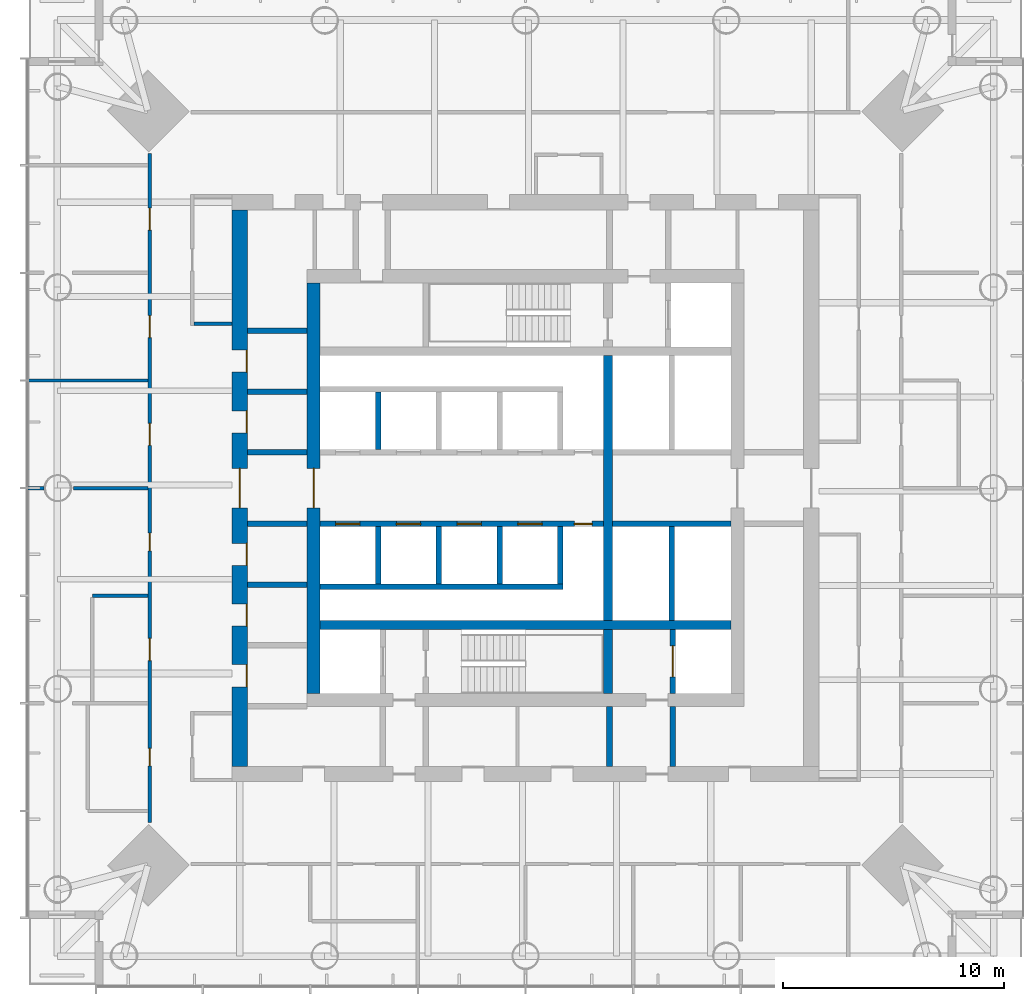
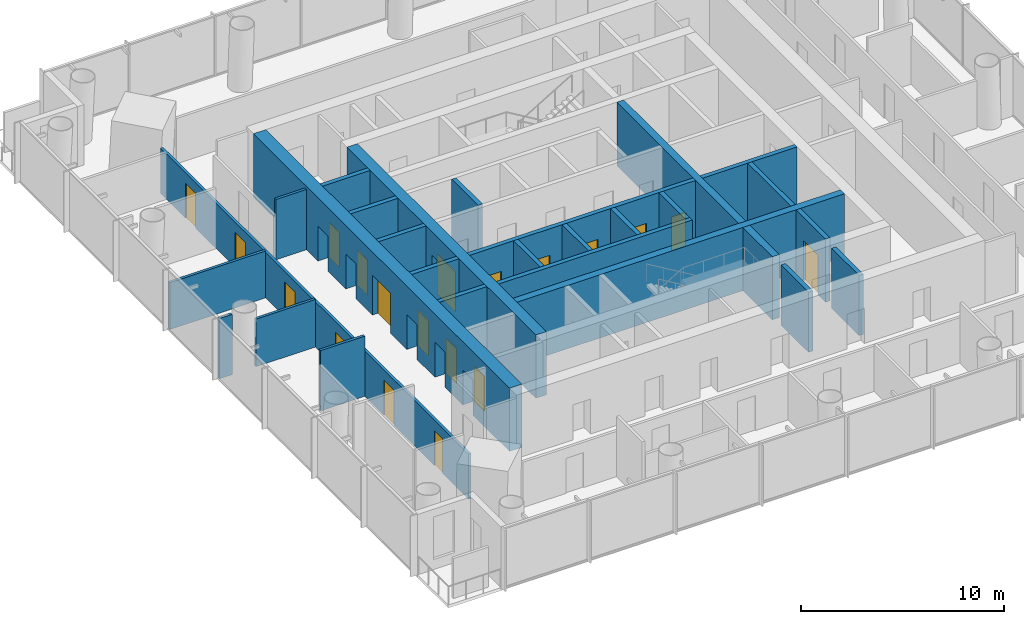
# One storey, part 10 of 20: 28 walls, 19 doors, 19 openings.
"""IFC4 building model written with IfcOpenShell, lengths in metres."""

from ifc_helpers import new_model, si_unit, direction, frame, frame_2d, origin, place, context, subcontext, project, spatial, rectangle, extrude, material, layer, layer_set, type_object, element, fill, save


model = new_model("IFC4")

# Units and contexts
model_context = context("Model", 3, precision=1e-05, world=origin(), true_north=direction((0.0, 1.0)))
body_context = subcontext(model_context, "Body", "Model", "MODEL_VIEW")
ifc_project = project(units=[si_unit("LENGTHUNIT", "METRE"), si_unit("AREAUNIT", "SQUARE_METRE"), si_unit("VOLUMEUNIT", "CUBIC_METRE"), si_unit("PLANEANGLEUNIT", "RADIAN"), si_unit("MASSUNIT", "GRAM", prefix="KILO")], contexts=[model_context])

# Site, building, storey
site_placement = place(None, origin())
site = spatial("IfcSite", under=ifc_project, at=site_placement, CompositionType="ELEMENT")
building_placement = place(site_placement, origin())
building = spatial("IfcBuilding", under=site, at=building_placement, Name="Ostroluk Exchange", CompositionType="ELEMENT")
storey_placement = place(building_placement, frame((0.0, 0.0, 108.39990234375)))
storey = spatial("IfcBuildingStorey", under=building, at=storey_placement, Name="L27", CompositionType="ELEMENT", Elevation=108.39990234375)

# Walls
ifc_material_1 = material(Name="Concrete blockwork", Category="masonry")
ifc_layer_1 = layer(ifc_material_1, 0.25)
ifc_layer_set_1 = layer_set([ifc_layer_1], Name="Blockwork stair enclosure wall 250")
wall_type_1 = type_object("IfcWallType", Name="Blockwork stair enclosure wall 250", PredefinedType="SOLIDWALL", material=ifc_layer_set_1)
for number, where, z_axis, x_axis, name in (
    (1, (48.804931640625, 33.39990234375, 0.0), (0.0, 0.0, 1.0), (0.0, 1.0, 0.0), "Service lobby enclosure wall"),
    (2, (51.675048828125, 33.39990234375, 0.0), (0.0, 0.0, 1.0), (0.0, 1.0, 0.0), "Service lobby enclosure wall"),
):
    element("IfcWall", number, at=place(storey_placement, frame(where, z_axis=z_axis, x_axis=x_axis)), inside=storey, type_object=wall_type_1, Name=name, PredefinedType="SOLIDWALL", context=body_context, shape_type="SweptSolid", body=[
        extrude(rectangle(XDim=2.7001953125, YDim=0.25, at=frame_2d((1.35009765625, 0.0))), origin(), (0.0, 0.0, 1.0), 3.6201171875),
    ])
ifc_material_2 = material(Name="Concrete C50/60", Category="concrete")
ifc_layer_2 = layer(ifc_material_2, 0.39990234375)
ifc_layer_set_2 = layer_set([ifc_layer_2], Name="Core cross wall 400 C50/60")
wall_type_2 = type_object("IfcWallType", Name="Core cross wall 400 C50/60", PredefinedType="SHEAR", material=ifc_layer_set_2)
wall_1_placement = place(storey_placement, frame((35.699951171875, 39.800048828125, 0.0), z_axis=(0.0, 0.0, 1.0), x_axis=(1.0, 0.0, 0.0)))
element("IfcWall", 3, at=wall_1_placement, inside=storey, type_object=wall_type_2, Name="T1 core wall XS", PredefinedType="SHEAR", context=body_context, shape_type="SweptSolid", body=[
    extrude(rectangle(XDim=18.60009765625, YDim=0.39990234375, at=frame_2d((9.300048828125, 0.0))), origin(), (0.0, 0.0, 1.0), 3.800048828125),
])
wall_2_placement = place(storey_placement, frame((48.72998046875, 36.699951171875, 0.0), z_axis=(0.0, 0.0, 1.0), x_axis=(0.0, 1.0, 0.0)))
element("IfcWall", 4, at=wall_2_placement, inside=storey, type_object=wall_type_2, Name="T1 core wall YE1", PredefinedType="SHEAR", context=body_context, shape_type="SweptSolid", body=[
    extrude(rectangle(XDim=2.900146484375, YDim=0.39990234375, at=frame_2d((1.4501953125, 0.0))), origin(), (0.0, 0.0, 1.0), 3.800048828125),
])
wall_3_placement = place(storey_placement, frame((48.72998046875, 40.0, 0.0), z_axis=(0.0, 0.0, 1.0), x_axis=(0.0, 1.0, 0.0)))
element("IfcWall", 5, at=wall_3_placement, inside=storey, type_object=wall_type_2, Name="T1 core wall YE2", PredefinedType="SHEAR", context=body_context, shape_type="SweptSolid", body=[
    extrude(rectangle(XDim=12.0, YDim=0.39990234375, at=frame_2d((6.0, 0.0))), origin(), (0.0, 0.0, 1.0), 3.800048828125),
])

# Wall, opening, door
ifc_material_3 = material(Name="Concrete C40/50", Category="concrete")
ifc_layer_3 = layer(ifc_material_3, 0.25)
ifc_layer_set_3 = layer_set([ifc_layer_3], Name="Core shaft wall 250")
wall_type_3 = type_object("IfcWallType", Name="Core shaft wall 250", PredefinedType="SHEAR", material=ifc_layer_set_3)
wall_4_placement = place(storey_placement, frame((51.675048828125, 36.699951171875, 0.0), z_axis=(0.0, 0.0, 1.0), x_axis=(0.0, 1.0, 0.0)))
wall_4 = element("IfcWall", 6, at=wall_4_placement, inside=storey, type_object=wall_type_3, Name="Service lift shaft wall", PredefinedType="SHEAR", context=body_context, shape_type="SweptSolid", body=[
    extrude(rectangle(XDim=2.900146484375, YDim=0.25, at=frame_2d((1.4501953125, 0.0))), origin(), (0.0, 0.0, 1.0), 3.800048828125),
])
opening_1_placement = place(wall_4_placement, frame((0.75, 0.0, 0.0)))
opening_1 = element("IfcOpeningElement", 7, at=opening_1_placement, cuts=wall_4, Name="Opening LD3", PredefinedType="OPENING", context=body_context, shape_type="SweptSolid", body=[
    extrude(rectangle(XDim=1.39990234375, YDim=2.39990234375, at=frame_2d((0.699951171875, 1.199951171875))), frame((0.0, 0.135009765625, 0.0), z_axis=(0.0, -1.0, 0.0), x_axis=(1.0, 0.0, 0.0)), (0.0, 0.0, 1.0), 0.27001953125),
])
ifc_material_4 = material(Name="Stainless steel", Category="steel")
door_type_1 = type_object("IfcDoorType", Name="Goods lift landing door E 60 1400 x 2400", OperationType="DOUBLE_DOOR_SLIDING", PredefinedType="DOOR", material=ifc_material_4)
door_1_placement = place(opening_1_placement, origin())
door_1 = element("IfcDoor", 8, at=door_1_placement, inside=storey, type_object=door_type_1, Name="Lift SL1 landing door", OperationType="DOUBLE_DOOR_SLIDING", OverallHeight=2.39990234375, OverallWidth=1.39990234375, PredefinedType="DOOR", context=body_context, shape_type="SweptSolid", body=[
    extrude(rectangle(XDim=1.39990234375, YDim=2.39990234375, at=frame_2d((0.699951171875, 1.199951171875))), frame((0.0, 0.02490234375, 0.0), z_axis=(0.0, -1.0, 0.0), x_axis=(1.0, 0.0, 0.0)), (0.0, 0.0, 1.0), 0.050048828125),
])
fill(opening_1, door_1)

# Walls
for number, where, z_axis, x_axis, name in (
    (9, (38.324951171875, 47.75, 0.0), (0.0, 0.0, 1.0), (0.0, 1.0, 0.0), "Lift shaft wall"),
    (10, (38.324951171875, 44.25, 0.0), (0.0, 0.0, 1.0), (0.0, -1.0, 0.0), "Lift shaft wall"),
    (11, (41.074951171875, 44.25, 0.0), (0.0, 0.0, 1.0), (0.0, -1.0, 0.0), "Lift shaft wall"),
    (12, (43.824951171875, 44.25, 0.0), (0.0, 0.0, 1.0), (0.0, -1.0, 0.0), "Lift shaft wall"),
    (13, (46.574951171875, 44.25, 0.0), (0.0, 0.0, 1.0), (0.0, -1.0, 0.0), "Lift shaft wall"),
):
    element("IfcWall", number, at=place(storey_placement, frame(where, z_axis=z_axis, x_axis=x_axis)), inside=storey, type_object=wall_type_3, Name=name, PredefinedType="SHEAR", context=body_context, shape_type="SweptSolid", body=[
        extrude(rectangle(XDim=2.60009765625, YDim=0.25, at=frame_2d((1.300048828125, 0.0))), origin(), (0.0, 0.0, 1.0), 3.800048828125),
    ])
wall_5_placement = place(storey_placement, frame((35.699951171875, 41.52490234375, 0.0), z_axis=(0.0, 0.0, 1.0), x_axis=(1.0, 0.0, 0.0)))
element("IfcWall", 14, at=wall_5_placement, inside=storey, type_object=wall_type_3, Name="Lift shaft wall", PredefinedType="SHEAR", context=body_context, shape_type="SweptSolid", body=[
    extrude(rectangle(XDim=11.0, YDim=0.25, at=frame_2d((5.5, 0.0))), origin(), (0.0, 0.0, 1.0), 3.800048828125),
])

# Wall, openings, doors
wall_6_placement = place(storey_placement, frame((35.699951171875, 44.375, 0.0), z_axis=(0.0, 0.0, 1.0), x_axis=(1.0, 0.0, 0.0)))
wall_6 = element("IfcWall", 15, at=wall_6_placement, inside=storey, type_object=wall_type_3, Name="Lift shaft front wall", PredefinedType="SHEAR", context=body_context, shape_type="SweptSolid", body=[
    extrude(rectangle(XDim=12.830078125, YDim=0.25, at=frame_2d((6.4150390625, 0.0))), origin(), (0.0, 0.0, 1.0), 3.800048828125),
])
opening_2_placement = place(wall_6_placement, frame((0.699951171875, 0.0, 0.0)))
opening_2 = element("IfcOpeningElement", 16, at=opening_2_placement, cuts=wall_6, Name="Opening LD", PredefinedType="OPENING", context=body_context, shape_type="SweptSolid", body=[
    extrude(rectangle(XDim=1.10009765625, YDim=2.199951171875, at=frame_2d((0.550048828125, 1.10009765625))), frame((0.0, 0.135009765625, 0.0), z_axis=(0.0, -1.0, 0.0), x_axis=(1.0, 0.0, 0.0)), (0.0, 0.0, 1.0), 0.27001953125),
])
opening_3_placement = place(wall_6_placement, frame((3.449951171875, 0.0, 0.0)))
opening_3 = element("IfcOpeningElement", 17, at=opening_3_placement, cuts=wall_6, Name="Opening LD", PredefinedType="OPENING", context=body_context, shape_type="SweptSolid", body=[
    extrude(rectangle(XDim=1.10009765625, YDim=2.199951171875, at=frame_2d((0.550048828125, 1.10009765625))), frame((0.0, 0.135009765625, 0.0), z_axis=(0.0, -1.0, 0.0), x_axis=(1.0, 0.0, 0.0)), (0.0, 0.0, 1.0), 0.27001953125),
])
opening_4_placement = place(wall_6_placement, frame((6.199951171875, 0.0, 0.0)))
opening_4 = element("IfcOpeningElement", 18, at=opening_4_placement, cuts=wall_6, Name="Opening LD", PredefinedType="OPENING", context=body_context, shape_type="SweptSolid", body=[
    extrude(rectangle(XDim=1.10009765625, YDim=2.199951171875, at=frame_2d((0.550048828125, 1.10009765625))), frame((0.0, 0.135009765625, 0.0), z_axis=(0.0, -1.0, 0.0), x_axis=(1.0, 0.0, 0.0)), (0.0, 0.0, 1.0), 0.27001953125),
])
opening_5_placement = place(wall_6_placement, frame((8.949951171875, 0.0, 0.0)))
opening_5 = element("IfcOpeningElement", 19, at=opening_5_placement, cuts=wall_6, Name="Opening LD", PredefinedType="OPENING", context=body_context, shape_type="SweptSolid", body=[
    extrude(rectangle(XDim=1.10009765625, YDim=2.199951171875, at=frame_2d((0.550048828125, 1.10009765625))), frame((0.0, 0.135009765625, 0.0), z_axis=(0.0, -1.0, 0.0), x_axis=(1.0, 0.0, 0.0)), (0.0, 0.0, 1.0), 0.27001953125),
])
opening_6_placement = place(wall_6_placement, frame((11.514892578125, 0.0, 0.0)))
opening_6 = element("IfcOpeningElement", 20, at=opening_6_placement, cuts=wall_6, Name="Opening RD60", PredefinedType="OPENING", context=body_context, shape_type="SweptSolid", body=[
    extrude(rectangle(XDim=0.800048828125, YDim=2.0, at=frame_2d((0.39990234375, 1.0))), frame((0.0, 0.135009765625, 0.0), z_axis=(0.0, -1.0, 0.0), x_axis=(1.0, 0.0, 0.0)), (0.0, 0.0, 1.0), 0.27001953125),
])
ifc_material_5 = material(Name="Stainless steel", Category="steel")
door_type_2 = type_object("IfcDoorType", Name="Lift landing door E 60 1100 x 2200", OperationType="DOUBLE_DOOR_SLIDING", PredefinedType="DOOR", material=ifc_material_5)
door_2_placement = place(opening_2_placement, origin())
door_2 = element("IfcDoor", 21, at=door_2_placement, inside=storey, type_object=door_type_2, Name="Lift PL-M5 landing door", OperationType="DOUBLE_DOOR_SLIDING", OverallHeight=2.199951171875, OverallWidth=1.10009765625, PredefinedType="DOOR", context=body_context, shape_type="SweptSolid", body=[
    extrude(rectangle(XDim=1.10009765625, YDim=2.199951171875, at=frame_2d((0.550048828125, 1.10009765625))), frame((0.0, 0.02490234375, 0.0), z_axis=(0.0, -1.0, 0.0), x_axis=(1.0, 0.0, 0.0)), (0.0, 0.0, 1.0), 0.050048828125),
])
fill(opening_2, door_2)
door_3_placement = place(opening_3_placement, origin())
door_3 = element("IfcDoor", 22, at=door_3_placement, inside=storey, type_object=door_type_2, Name="Lift PL-M6 landing door", OperationType="DOUBLE_DOOR_SLIDING", OverallHeight=2.199951171875, OverallWidth=1.10009765625, PredefinedType="DOOR", context=body_context, shape_type="SweptSolid", body=[
    extrude(rectangle(XDim=1.10009765625, YDim=2.199951171875, at=frame_2d((0.550048828125, 1.10009765625))), frame((0.0, 0.02490234375, 0.0), z_axis=(0.0, -1.0, 0.0), x_axis=(1.0, 0.0, 0.0)), (0.0, 0.0, 1.0), 0.050048828125),
])
fill(opening_3, door_3)
door_4_placement = place(opening_4_placement, origin())
door_4 = element("IfcDoor", 23, at=door_4_placement, inside=storey, type_object=door_type_2, Name="Lift PL-M7 landing door", OperationType="DOUBLE_DOOR_SLIDING", OverallHeight=2.199951171875, OverallWidth=1.10009765625, PredefinedType="DOOR", context=body_context, shape_type="SweptSolid", body=[
    extrude(rectangle(XDim=1.10009765625, YDim=2.199951171875, at=frame_2d((0.550048828125, 1.10009765625))), frame((0.0, 0.02490234375, 0.0), z_axis=(0.0, -1.0, 0.0), x_axis=(1.0, 0.0, 0.0)), (0.0, 0.0, 1.0), 0.050048828125),
])
fill(opening_4, door_4)
door_5_placement = place(opening_5_placement, origin())
door_5 = element("IfcDoor", 24, at=door_5_placement, inside=storey, type_object=door_type_2, Name="Lift PL-M8 landing door", OperationType="DOUBLE_DOOR_SLIDING", OverallHeight=2.199951171875, OverallWidth=1.10009765625, PredefinedType="DOOR", context=body_context, shape_type="SweptSolid", body=[
    extrude(rectangle(XDim=1.10009765625, YDim=2.199951171875, at=frame_2d((0.550048828125, 1.10009765625))), frame((0.0, 0.02490234375, 0.0), z_axis=(0.0, -1.0, 0.0), x_axis=(1.0, 0.0, 0.0)), (0.0, 0.0, 1.0), 0.050048828125),
])
fill(opening_5, door_5)
ifc_material_6 = material(Name="Steel", Category="steel")
door_type_3 = type_object("IfcDoorType", Name="Riser access door EI 60 800 x 2000", OperationType="SINGLE_SWING_LEFT", PredefinedType="DOOR", material=ifc_material_6)
door_6_placement = place(opening_6_placement, origin())
door_6 = element("IfcDoor", 25, at=door_6_placement, inside=storey, type_object=door_type_3, Name="Riser access door", OperationType="SINGLE_SWING_RIGHT", OverallHeight=2.0, OverallWidth=0.800048828125, PredefinedType="DOOR", context=body_context, shape_type="SweptSolid", body=[
    extrude(rectangle(XDim=0.800048828125, YDim=2.0, at=frame_2d((0.39990234375, 1.0))), frame((0.0, 0.02490234375, 0.0), z_axis=(0.0, -1.0, 0.0), x_axis=(1.0, 0.0, 0.0)), (0.0, 0.0, 1.0), 0.050048828125),
])
fill(opening_6, door_6)

# Walls
wall_7_placement = place(storey_placement, frame((51.614990234375, 44.25, 0.0), z_axis=(0.0, 0.0, 1.0), x_axis=(0.0, -1.0, 0.0)))
element("IfcWall", 26, at=wall_7_placement, inside=storey, type_object=wall_type_3, Name="Lift shaft wall", PredefinedType="SHEAR", context=body_context, shape_type="SweptSolid", body=[
    extrude(rectangle(XDim=4.25, YDim=0.25, at=frame_2d((2.125, 0.0))), origin(), (0.0, 0.0, 1.0), 3.800048828125),
])
wall_8_placement = place(storey_placement, frame((48.929931640625, 44.375, 0.0), z_axis=(0.0, 0.0, 1.0), x_axis=(1.0, 0.0, 0.0)))
element("IfcWall", 27, at=wall_8_placement, inside=storey, type_object=wall_type_3, Name="Lift shaft front wall", PredefinedType="SHEAR", context=body_context, shape_type="SweptSolid", body=[
    extrude(rectangle(XDim=5.3701171875, YDim=0.25, at=frame_2d((2.68505859375, 0.0))), origin(), (0.0, 0.0, 1.0), 3.800048828125),
])
for number, where, z_axis, x_axis, name in (
    (28, (32.39990234375, 41.625, 0.0), (0.0, 0.0, 1.0), (1.0, 0.0, 0.0), "Lift shaft wall"),
    (29, (32.39990234375, 44.375, 0.0), (0.0, 0.0, 1.0), (1.0, 0.0, 0.0), "Lift shaft wall"),
    (30, (32.39990234375, 47.625, 0.0), (0.0, 0.0, 1.0), (1.0, 0.0, 0.0), "Lift shaft wall"),
    (31, (32.39990234375, 50.375, 0.0), (0.0, 0.0, 1.0), (1.0, 0.0, 0.0), "Lift shaft wall"),
    (32, (32.39990234375, 53.125, 0.0), (0.0, 0.0, 1.0), (1.0, 0.0, 0.0), "Lift shaft wall"),
):
    element("IfcWall", number, at=place(storey_placement, frame(where, z_axis=z_axis, x_axis=x_axis)), inside=storey, type_object=wall_type_3, Name=name, PredefinedType="SHEAR", context=body_context, shape_type="SweptSolid", body=[
        extrude(rectangle(XDim=2.7001953125, YDim=0.25, at=frame_2d((1.35009765625, 0.0))), origin(), (0.0, 0.0, 1.0), 3.800048828125),
    ])

# Wall, opening, door
ifc_material_7 = material(Name="Concrete C50/60", Category="concrete")
ifc_layer_4 = layer(ifc_material_7, 0.60009765625)
ifc_layer_set_4 = layer_set([ifc_layer_4], Name="Core wall 600 C50/60")
wall_type_4 = type_object("IfcWallType", Name="Core wall 600 C50/60", PredefinedType="SHEAR", material=ifc_layer_set_4)
wall_9_placement = place(storey_placement, frame((35.39990234375, 36.699951171875, 0.0), z_axis=(0.0, 0.0, 1.0), x_axis=(0.0, 1.0, 0.0)))
wall_9 = element("IfcWall", 33, at=wall_9_placement, inside=storey, type_object=wall_type_4, Name="T1 core wall W", PredefinedType="SHEAR", context=body_context, shape_type="SweptSolid", body=[
    extrude(rectangle(XDim=18.60009765625, YDim=0.60009765625, at=frame_2d((9.300048828125, 0.0))), origin(), (0.0, 0.0, 1.0), 3.800048828125),
])
opening_7_placement = place(wall_9_placement, frame((8.39990234375, 0.0, 0.0)))
opening_7 = element("IfcOpeningElement", 34, at=opening_7_placement, cuts=wall_9, Name="Opening FD30D", PredefinedType="OPENING", context=body_context, shape_type="SweptSolid", body=[
    extrude(rectangle(XDim=1.800048828125, YDim=2.39990234375, at=frame_2d((0.89990234375, 1.199951171875))), frame((0.0, 0.31005859375, 0.0), z_axis=(0.0, -1.0, 0.0), x_axis=(1.0, 0.0, 0.0)), (0.0, 0.0, 1.0), 0.6201171875),
])
ifc_material_8 = material(Name="Timber", Category="wood")
door_type_4 = type_object("IfcDoorType", Name="Lobby double door EI 30 1800 x 2400", OperationType="DOUBLE_DOOR_SINGLE_SWING", PredefinedType="DOOR", material=ifc_material_8)
door_7_placement = place(opening_7_placement, origin())
door_7 = element("IfcDoor", 35, at=door_7_placement, inside=storey, type_object=door_type_4, Name="Lift lobby doors", OperationType="DOUBLE_DOOR_SINGLE_SWING", OverallHeight=2.39990234375, OverallWidth=1.800048828125, PredefinedType="DOOR", context=body_context, shape_type="SweptSolid", body=[
    extrude(rectangle(XDim=1.800048828125, YDim=2.39990234375, at=frame_2d((0.89990234375, 1.199951171875))), frame((0.0, 0.02490234375, 0.0), z_axis=(0.0, -1.0, 0.0), x_axis=(1.0, 0.0, 0.0)), (0.0, 0.0, 1.0), 0.050048828125),
])
fill(opening_7, door_7)

# Wall, openings, doors
ifc_material_9 = material(Name="Concrete C50/60", Category="concrete")
ifc_layer_5 = layer(ifc_material_9, 0.699951171875)
ifc_layer_set_5 = layer_set([ifc_layer_5], Name="Core wall 700 C50/60")
wall_type_5 = type_object("IfcWallType", Name="Core wall 700 C50/60", PredefinedType="SHEAR", material=ifc_layer_set_5)
wall_10_placement = place(storey_placement, frame((32.050048828125, 33.39990234375, 0.0), z_axis=(0.0, 0.0, 1.0), x_axis=(0.0, 1.0, 0.0)))
wall_10 = element("IfcWall", 36, at=wall_10_placement, inside=storey, type_object=wall_type_5, Name="T1 core wall RW", PredefinedType="SHEAR", context=body_context, shape_type="SweptSolid", body=[
    extrude(rectangle(XDim=25.2001953125, YDim=0.699951171875, at=frame_2d((12.60009765625, 0.0))), origin(), (0.0, 0.0, 1.0), 3.800048828125),
])
opening_8_placement = place(wall_10_placement, frame((11.699951171875, 0.0, 0.0)))
opening_8 = element("IfcOpeningElement", 37, at=opening_8_placement, cuts=wall_10, Name="Opening FD30D", PredefinedType="OPENING", context=body_context, shape_type="SweptSolid", body=[
    extrude(rectangle(XDim=1.800048828125, YDim=2.39990234375, at=frame_2d((0.89990234375, 1.199951171875))), frame((0.0, 0.35986328125, 0.0), z_axis=(0.0, -1.0, 0.0), x_axis=(1.0, 0.0, 0.0)), (0.0, 0.0, 1.0), 0.719970703125),
])
opening_9_placement = place(wall_10_placement, frame((3.60009765625, 0.0, 0.0)))
opening_9 = element("IfcOpeningElement", 38, at=opening_9_placement, cuts=wall_10, Name="Opening FD60", PredefinedType="OPENING", context=body_context, shape_type="SweptSolid", body=[
    extrude(rectangle(XDim=1.0, YDim=2.10009765625, at=frame_2d((0.5, 1.050048828125))), frame((0.0, 0.35986328125, 0.0), z_axis=(0.0, -1.0, 0.0), x_axis=(1.0, 0.0, 0.0)), (0.0, 0.0, 1.0), 0.719970703125),
])
opening_10_placement = place(wall_10_placement, frame((6.35009765625, 0.0, 0.0)))
opening_10 = element("IfcOpeningElement", 39, at=opening_10_placement, cuts=wall_10, Name="Opening FD60", PredefinedType="OPENING", context=body_context, shape_type="SweptSolid", body=[
    extrude(rectangle(XDim=1.0, YDim=2.10009765625, at=frame_2d((0.5, 1.050048828125))), frame((0.0, 0.35986328125, 0.0), z_axis=(0.0, -1.0, 0.0), x_axis=(1.0, 0.0, 0.0)), (0.0, 0.0, 1.0), 0.719970703125),
])
opening_11_placement = place(wall_10_placement, frame((9.10009765625, 0.0, 0.0)))
opening_11 = element("IfcOpeningElement", 40, at=opening_11_placement, cuts=wall_10, Name="Opening FD60", PredefinedType="OPENING", context=body_context, shape_type="SweptSolid", body=[
    extrude(rectangle(XDim=1.0, YDim=2.10009765625, at=frame_2d((0.5, 1.050048828125))), frame((0.0, 0.35986328125, 0.0), z_axis=(0.0, -1.0, 0.0), x_axis=(1.0, 0.0, 0.0)), (0.0, 0.0, 1.0), 0.719970703125),
])
opening_12_placement = place(wall_10_placement, frame((15.10009765625, 0.0, 0.0)))
opening_12 = element("IfcOpeningElement", 41, at=opening_12_placement, cuts=wall_10, Name="Opening FD60", PredefinedType="OPENING", context=body_context, shape_type="SweptSolid", body=[
    extrude(rectangle(XDim=1.0, YDim=2.10009765625, at=frame_2d((0.5, 1.050048828125))), frame((0.0, 0.35986328125, 0.0), z_axis=(0.0, -1.0, 0.0), x_axis=(1.0, 0.0, 0.0)), (0.0, 0.0, 1.0), 0.719970703125),
])
opening_13_placement = place(wall_10_placement, frame((17.85009765625, 0.0, 0.0)))
opening_13 = element("IfcOpeningElement", 42, at=opening_13_placement, cuts=wall_10, Name="Opening FD60", PredefinedType="OPENING", context=body_context, shape_type="SweptSolid", body=[
    extrude(rectangle(XDim=1.0, YDim=2.10009765625, at=frame_2d((0.5, 1.050048828125))), frame((0.0, 0.35986328125, 0.0), z_axis=(0.0, -1.0, 0.0), x_axis=(1.0, 0.0, 0.0)), (0.0, 0.0, 1.0), 0.719970703125),
])
ifc_material_10 = material(Name="Steel", Category="steel")
door_type_5 = type_object("IfcDoorType", Name="Fire door EI 60 1000 x 2100", OperationType="SINGLE_SWING_LEFT", PredefinedType="DOOR", material=ifc_material_10)
door_8_placement = place(opening_9_placement, origin())
door_8 = element("IfcDoor", 43, at=door_8_placement, inside=storey, type_object=door_type_5, Name="Store door", OperationType="SINGLE_SWING_LEFT", OverallHeight=2.10009765625, OverallWidth=1.0, PredefinedType="DOOR", context=body_context, shape_type="SweptSolid", body=[
    extrude(rectangle(XDim=1.0, YDim=2.10009765625, at=frame_2d((0.5, 1.050048828125))), frame((0.0, -0.2900390625, 0.0), z_axis=(0.0, -1.0, 0.0), x_axis=(1.0, 0.0, 0.0)), (0.0, 0.0, 1.0), 0.050048828125),
])
fill(opening_9, door_8)
door_9_placement = place(opening_10_placement, origin())
door_9 = element("IfcDoor", 44, at=door_9_placement, inside=storey, type_object=door_type_5, Name="Cleaner's store door", OperationType="SINGLE_SWING_LEFT", OverallHeight=2.10009765625, OverallWidth=1.0, PredefinedType="DOOR", context=body_context, shape_type="SweptSolid", body=[
    extrude(rectangle(XDim=1.0, YDim=2.10009765625, at=frame_2d((0.5, 1.050048828125))), frame((0.0, -0.2900390625, 0.0), z_axis=(0.0, -1.0, 0.0), x_axis=(1.0, 0.0, 0.0)), (0.0, 0.0, 1.0), 0.050048828125),
])
fill(opening_10, door_9)
door_10_placement = place(opening_11_placement, origin())
door_10 = element("IfcDoor", 45, at=door_10_placement, inside=storey, type_object=door_type_5, Name="Store door", OperationType="SINGLE_SWING_LEFT", OverallHeight=2.10009765625, OverallWidth=1.0, PredefinedType="DOOR", context=body_context, shape_type="SweptSolid", body=[
    extrude(rectangle(XDim=1.0, YDim=2.10009765625, at=frame_2d((0.5, 1.050048828125))), frame((0.0, -0.2900390625, 0.0), z_axis=(0.0, -1.0, 0.0), x_axis=(1.0, 0.0, 0.0)), (0.0, 0.0, 1.0), 0.050048828125),
])
fill(opening_11, door_10)
door_11_placement = place(opening_12_placement, origin())
door_11 = element("IfcDoor", 46, at=door_11_placement, inside=storey, type_object=door_type_5, Name="Cleaner's store door", OperationType="SINGLE_SWING_RIGHT", OverallHeight=2.10009765625, OverallWidth=1.0, PredefinedType="DOOR", context=body_context, shape_type="SweptSolid", body=[
    extrude(rectangle(XDim=1.0, YDim=2.10009765625, at=frame_2d((0.5, 1.050048828125))), frame((0.0, -0.2900390625, 0.0), z_axis=(0.0, -1.0, 0.0), x_axis=(1.0, 0.0, 0.0)), (0.0, 0.0, 1.0), 0.050048828125),
])
fill(opening_12, door_11)
door_12_placement = place(opening_13_placement, origin())
door_12 = element("IfcDoor", 47, at=door_12_placement, inside=storey, type_object=door_type_5, Name="Store door", OperationType="SINGLE_SWING_RIGHT", OverallHeight=2.10009765625, OverallWidth=1.0, PredefinedType="DOOR", context=body_context, shape_type="SweptSolid", body=[
    extrude(rectangle(XDim=1.0, YDim=2.10009765625, at=frame_2d((0.5, 1.050048828125))), frame((0.0, -0.2900390625, 0.0), z_axis=(0.0, -1.0, 0.0), x_axis=(1.0, 0.0, 0.0)), (0.0, 0.0, 1.0), 0.050048828125),
])
fill(opening_13, door_12)
door_13_placement = place(opening_8_placement, origin())
door_13 = element("IfcDoor", 48, at=door_13_placement, inside=storey, type_object=door_type_4, Name="Lift lobby doors", OperationType="DOUBLE_DOOR_SINGLE_SWING", OverallHeight=2.39990234375, OverallWidth=1.800048828125, PredefinedType="DOOR", context=body_context, shape_type="SweptSolid", body=[
    extrude(rectangle(XDim=1.800048828125, YDim=2.39990234375, at=frame_2d((0.89990234375, 1.199951171875))), frame((0.0, 0.02490234375, 0.0), z_axis=(0.0, -1.0, 0.0), x_axis=(1.0, 0.0, 0.0)), (0.0, 0.0, 1.0), 0.050048828125),
])
fill(opening_8, door_13)

# Wall
ifc_material_11 = material(Name="Gypsum plasterboard partition", Category="gypsum")
ifc_layer_6 = layer(ifc_material_11, 0.14990234375)
ifc_layer_set_6 = layer_set([ifc_layer_6], Name="Plasterboard partition 150")
wall_type_6 = type_object("IfcWallType", Name="Plasterboard partition 150", PredefinedType="PARTITIONING", material=ifc_layer_set_6)
wall_11_placement = place(storey_placement, frame((31.699951171875, 53.449951171875, 0.0), z_axis=(0.0, 0.0, 1.0), x_axis=(-1.0, 0.0, 0.0)))
element("IfcWall", 49, at=wall_11_placement, inside=storey, type_object=wall_type_6, Name="Partition", PredefinedType="PARTITIONING", context=body_context, shape_type="SweptSolid", body=[
    extrude(rectangle(XDim=1.724853515625, YDim=0.14990234375, at=frame_2d((0.8623046875, 0.0))), origin(), (0.0, 0.0, 1.0), 3.6201171875),
])

# Wall, openings, doors
wall_12_placement = place(storey_placement, frame((27.97509765625, 61.147216796875, 0.0), z_axis=(0.0, 0.0, 1.0), x_axis=(0.0, -1.0, 0.0)))
wall_12 = element("IfcWall", 50, at=wall_12_placement, inside=storey, type_object=wall_type_6, Name="Partition", PredefinedType="PARTITIONING", context=body_context, shape_type="SweptSolid", body=[
    extrude(rectangle(XDim=30.29443359375, YDim=0.14990234375, at=frame_2d((15.147216796875, 0.0))), origin(), (0.0, 0.0, 1.0), 2.72021484375),
])
opening_14_placement = place(wall_12_placement, frame((2.459716796875, 0.0, 0.0)))
opening_14 = element("IfcOpeningElement", 51, at=opening_14_placement, cuts=wall_12, Name="Opening D-03", PredefinedType="OPENING", context=body_context, shape_type="SweptSolid", body=[
    extrude(rectangle(XDim=1.0, YDim=2.10009765625, at=frame_2d((0.5, 1.050048828125))), frame((0.0, 0.0849609375, 0.0), z_axis=(0.0, -1.0, 0.0), x_axis=(1.0, 0.0, 0.0)), (0.0, 0.0, 1.0), 0.169921875),
])
opening_15_placement = place(wall_12_placement, frame((7.334716796875, 0.0, 0.0)))
opening_15 = element("IfcOpeningElement", 52, at=opening_15_placement, cuts=wall_12, Name="Opening D-03", PredefinedType="OPENING", context=body_context, shape_type="SweptSolid", body=[
    extrude(rectangle(XDim=1.0, YDim=2.10009765625, at=frame_2d((0.5, 1.050048828125))), frame((0.0, 0.0849609375, 0.0), z_axis=(0.0, -1.0, 0.0), x_axis=(1.0, 0.0, 0.0)), (0.0, 0.0, 1.0), 0.169921875),
])
opening_16_placement = place(wall_12_placement, frame((12.209716796875, 0.0, 0.0)))
opening_16 = element("IfcOpeningElement", 53, at=opening_16_placement, cuts=wall_12, Name="Opening D-03", PredefinedType="OPENING", context=body_context, shape_type="SweptSolid", body=[
    extrude(rectangle(XDim=1.0, YDim=2.10009765625, at=frame_2d((0.5, 1.050048828125))), frame((0.0, 0.0849609375, 0.0), z_axis=(0.0, -1.0, 0.0), x_axis=(1.0, 0.0, 0.0)), (0.0, 0.0, 1.0), 0.169921875),
])
opening_17_placement = place(wall_12_placement, frame((17.184814453125, 0.0, 0.0)))
opening_17 = element("IfcOpeningElement", 54, at=opening_17_placement, cuts=wall_12, Name="Opening D-06", PredefinedType="OPENING", context=body_context, shape_type="SweptSolid", body=[
    extrude(rectangle(XDim=0.800048828125, YDim=2.10009765625, at=frame_2d((0.39990234375, 1.050048828125))), frame((0.0, 0.0849609375, 0.0), z_axis=(0.0, -1.0, 0.0), x_axis=(1.0, 0.0, 0.0)), (0.0, 0.0, 1.0), 0.169921875),
])
opening_18_placement = place(wall_12_placement, frame((21.959716796875, 0.0, 0.0)))
opening_18 = element("IfcOpeningElement", 55, at=opening_18_placement, cuts=wall_12, Name="Opening D-03", PredefinedType="OPENING", context=body_context, shape_type="SweptSolid", body=[
    extrude(rectangle(XDim=1.0, YDim=2.10009765625, at=frame_2d((0.5, 1.050048828125))), frame((0.0, 0.0849609375, 0.0), z_axis=(0.0, -1.0, 0.0), x_axis=(1.0, 0.0, 0.0)), (0.0, 0.0, 1.0), 0.169921875),
])
opening_19_placement = place(wall_12_placement, frame((26.934814453125, 0.0, 0.0)))
opening_19 = element("IfcOpeningElement", 56, at=opening_19_placement, cuts=wall_12, Name="Opening D-06", PredefinedType="OPENING", context=body_context, shape_type="SweptSolid", body=[
    extrude(rectangle(XDim=0.800048828125, YDim=2.10009765625, at=frame_2d((0.39990234375, 1.050048828125))), frame((0.0, 0.0849609375, 0.0), z_axis=(0.0, -1.0, 0.0), x_axis=(1.0, 0.0, 0.0)), (0.0, 0.0, 1.0), 0.169921875),
])
ifc_material_12 = material(Name="Timber", Category="wood")
door_type_6 = type_object("IfcDoorType", Name="Internal door 1000 x 2100", OperationType="SINGLE_SWING_LEFT", PredefinedType="DOOR", material=ifc_material_12)
door_14_placement = place(opening_14_placement, origin())
door_14 = element("IfcDoor", 57, at=door_14_placement, inside=storey, type_object=door_type_6, Name="Office door", OperationType="SINGLE_SWING_LEFT", OverallHeight=2.10009765625, OverallWidth=1.0, PredefinedType="DOOR", context=body_context, shape_type="SweptSolid", body=[
    extrude(rectangle(XDim=1.0, YDim=2.10009765625, at=frame_2d((0.5, 1.050048828125))), frame((0.0, 0.02490234375, 0.0), z_axis=(0.0, -1.0, 0.0), x_axis=(1.0, 0.0, 0.0)), (0.0, 0.0, 1.0), 0.050048828125),
])
fill(opening_14, door_14)
door_15_placement = place(opening_15_placement, origin())
door_15 = element("IfcDoor", 58, at=door_15_placement, inside=storey, type_object=door_type_6, Name="Meeting room door", OperationType="SINGLE_SWING_LEFT", OverallHeight=2.10009765625, OverallWidth=1.0, PredefinedType="DOOR", context=body_context, shape_type="SweptSolid", body=[
    extrude(rectangle(XDim=1.0, YDim=2.10009765625, at=frame_2d((0.5, 1.050048828125))), frame((0.0, 0.02490234375, 0.0), z_axis=(0.0, -1.0, 0.0), x_axis=(1.0, 0.0, 0.0)), (0.0, 0.0, 1.0), 0.050048828125),
])
fill(opening_15, door_15)
door_16_placement = place(opening_16_placement, origin())
door_16 = element("IfcDoor", 59, at=door_16_placement, inside=storey, type_object=door_type_6, Name="Pantry door", OperationType="SINGLE_SWING_LEFT", OverallHeight=2.10009765625, OverallWidth=1.0, PredefinedType="DOOR", context=body_context, shape_type="SweptSolid", body=[
    extrude(rectangle(XDim=1.0, YDim=2.10009765625, at=frame_2d((0.5, 1.050048828125))), frame((0.0, 0.02490234375, 0.0), z_axis=(0.0, -1.0, 0.0), x_axis=(1.0, 0.0, 0.0)), (0.0, 0.0, 1.0), 0.050048828125),
])
fill(opening_16, door_16)
door_17_placement = place(opening_18_placement, origin())
door_17 = element("IfcDoor", 60, at=door_17_placement, inside=storey, type_object=door_type_6, Name="Accessible WC door", OperationType="SINGLE_SWING_RIGHT", OverallHeight=2.10009765625, OverallWidth=1.0, PredefinedType="DOOR", context=body_context, shape_type="SweptSolid", body=[
    extrude(rectangle(XDim=1.0, YDim=2.10009765625, at=frame_2d((0.5, 1.050048828125))), frame((0.0, 0.02490234375, 0.0), z_axis=(0.0, -1.0, 0.0), x_axis=(1.0, 0.0, 0.0)), (0.0, 0.0, 1.0), 0.050048828125),
])
fill(opening_18, door_17)
ifc_material_13 = material(Name="Timber", Category="wood")
door_type_7 = type_object("IfcDoorType", Name="Toilet door 800 x 2100", OperationType="SINGLE_SWING_LEFT", PredefinedType="DOOR", material=ifc_material_13)
door_18_placement = place(opening_17_placement, origin())
door_18 = element("IfcDoor", 61, at=door_18_placement, inside=storey, type_object=door_type_7, Name="WC female door", OperationType="SINGLE_SWING_RIGHT", OverallHeight=2.10009765625, OverallWidth=0.800048828125, PredefinedType="DOOR", context=body_context, shape_type="SweptSolid", body=[
    extrude(rectangle(XDim=0.800048828125, YDim=2.10009765625, at=frame_2d((0.39990234375, 1.050048828125))), frame((0.0, 0.02490234375, 0.0), z_axis=(0.0, -1.0, 0.0), x_axis=(1.0, 0.0, 0.0)), (0.0, 0.0, 1.0), 0.050048828125),
])
fill(opening_17, door_18)
door_19_placement = place(opening_19_placement, origin())
door_19 = element("IfcDoor", 62, at=door_19_placement, inside=storey, type_object=door_type_7, Name="WC male door", OperationType="SINGLE_SWING_RIGHT", OverallHeight=2.10009765625, OverallWidth=0.800048828125, PredefinedType="DOOR", context=body_context, shape_type="SweptSolid", body=[
    extrude(rectangle(XDim=0.800048828125, YDim=2.10009765625, at=frame_2d((0.39990234375, 1.050048828125))), frame((0.0, 0.02490234375, 0.0), z_axis=(0.0, -1.0, 0.0), x_axis=(1.0, 0.0, 0.0)), (0.0, 0.0, 1.0), 0.050048828125),
])
fill(opening_19, door_19)

# Walls
wall_13_placement = place(storey_placement, frame((27.89990234375, 50.875, 0.0), z_axis=(0.0, 0.0, 1.0), x_axis=(-1.0, 0.0, 0.0)))
element("IfcWall", 63, at=wall_13_placement, inside=storey, type_object=wall_type_6, Name="Partition", PredefinedType="PARTITIONING", context=body_context, shape_type="SweptSolid", body=[
    extrude(rectangle(XDim=5.43994140625, YDim=0.14990234375, at=frame_2d((2.719970703125, 0.0))), origin(), (0.0, 0.0, 1.0), 2.820068359375),
])
wall_14_placement = place(storey_placement, frame((27.89990234375, 46.0, 0.0), z_axis=(0.0, 0.0, 1.0), x_axis=(-1.0, 0.0, 0.0)))
element("IfcWall", 64, at=wall_14_placement, inside=storey, type_object=wall_type_6, Name="Partition", PredefinedType="PARTITIONING", context=body_context, shape_type="SweptSolid", body=[
    extrude(rectangle(XDim=3.376220703125, YDim=0.14990234375, at=frame_2d((1.68798828125, 0.0))), origin(), (0.0, 0.0, 1.0), 2.858154296875),
])
wall_15_placement = place(storey_placement, frame((23.183349609375, 46.0, 0.0), z_axis=(0.0, 0.0, 1.0), x_axis=(-1.0, 0.0, 0.0)))
element("IfcWall", 65, at=wall_15_placement, inside=storey, type_object=wall_type_6, Name="Partition", PredefinedType="PARTITIONING", context=body_context, shape_type="SweptSolid", body=[
    extrude(rectangle(XDim=0.723388671875, YDim=0.14990234375, at=frame_2d((0.36181640625, 0.0))), origin(), (0.0, 0.0, 1.0), 3.6201171875),
])
wall_16_placement = place(storey_placement, frame((27.89990234375, 41.125, 0.0), z_axis=(0.0, 0.0, 1.0), x_axis=(-1.0, 0.0, 0.0)))
element("IfcWall", 66, at=wall_16_placement, inside=storey, type_object=wall_type_6, Name="Partition", PredefinedType="PARTITIONING", context=body_context, shape_type="SweptSolid", body=[
    extrude(rectangle(XDim=2.52490234375, YDim=0.14990234375, at=frame_2d((1.262451171875, 0.0))), origin(), (0.0, 0.0, 1.0), 3.6201171875),
])

save(model, "model.ifc")
